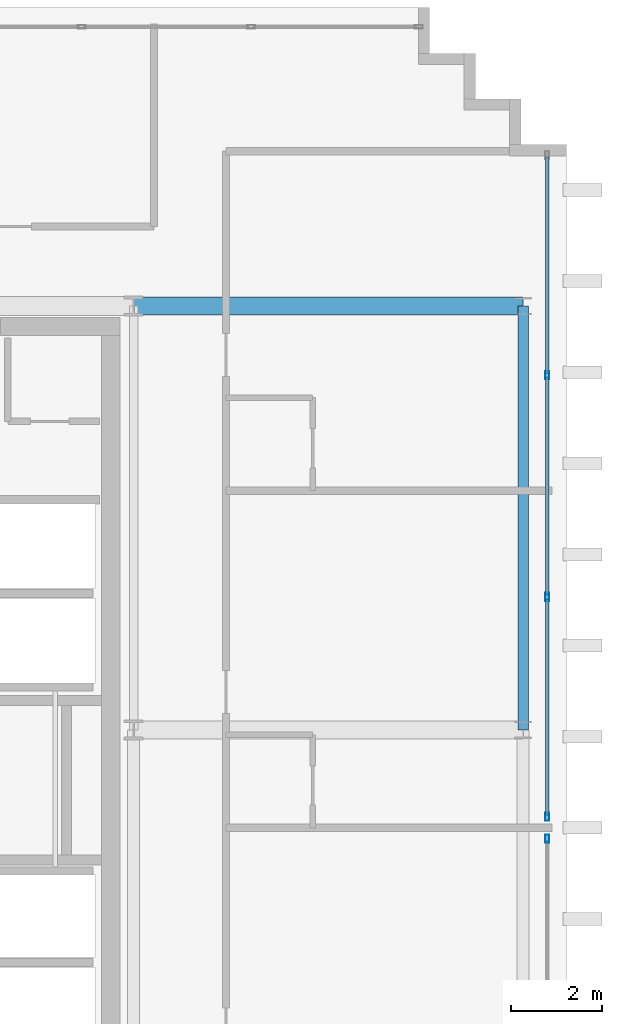
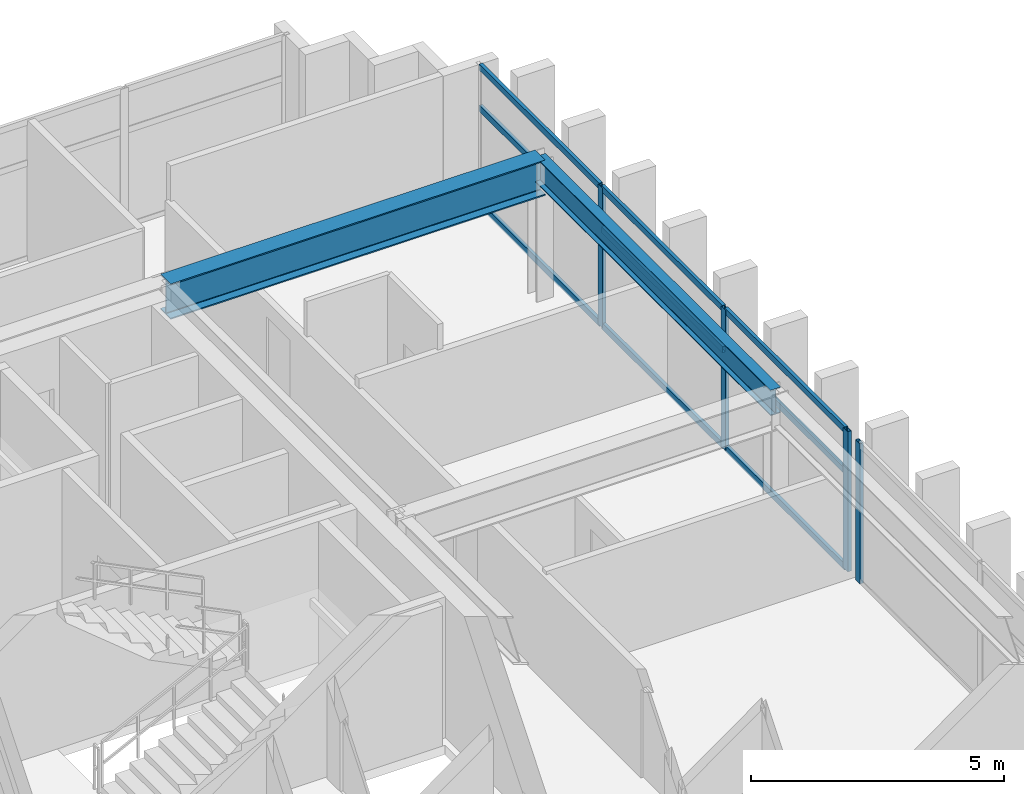
# One storey, part 8 of 15: 13 members, 2 beams, 2 elements without a shape of their own.
"""IFC4 building model written with IfcOpenShell, lengths in metres."""

from ifc_helpers import new_model, si_unit, direction, frame, origin, origin_2d, place, context, subcontext, project, spatial, hollow_rectangle, i_section, extrude, source, transform, mapped, material, layer, layer_set, material_profile, profile_set, type_object, element, aggregate, save


model = new_model("IFC4")

# Units and contexts
model_context = context("Model", 3, precision=1e-05, world=origin(), true_north=direction((0.0, 1.0)))
body_context = subcontext(model_context, "Body", "Model", "MODEL_VIEW")
ifc_project = project(units=[si_unit("LENGTHUNIT", "METRE"), si_unit("AREAUNIT", "SQUARE_METRE"), si_unit("VOLUMEUNIT", "CUBIC_METRE"), si_unit("PLANEANGLEUNIT", "RADIAN"), si_unit("MASSUNIT", "GRAM", prefix="KILO")], contexts=[model_context])

# Site, building, storey
site_placement = place(None, origin())
site = spatial("IfcSite", under=ifc_project, at=site_placement, CompositionType="ELEMENT")
building_placement = place(site_placement, origin())
building = spatial("IfcBuilding", under=site, at=building_placement, Name="Ocotamira Hotel", CompositionType="ELEMENT")
storey_placement = place(building_placement, frame((0.0, 0.0, 283.199951171875)))
storey = spatial("IfcBuildingStorey", under=building, at=storey_placement, Name="L72", CompositionType="ELEMENT", Elevation=283.199951171875)

# Beams
ifc_material_1 = material(Name="Steel ASTM A992 Grade 50", Category="steel")
ifc_material_profile_1 = material_profile(ifc_material_1, i_section(OverallWidth=0.22998046875, OverallDepth=0.616943359375, WebThickness=0.01318359375, FlangeThickness=0.022216796875, FilletRadius=0.012939453125, at=origin_2d()), Name="W24X94")
ifc_profile_set_1 = profile_set([ifc_material_profile_1], Name="Steel ASTM A992 Grade 50")
beam_type_1 = type_object("IfcBeamType", Name="BM-PRIM-W24X94", PredefinedType="BEAM", material=ifc_profile_set_1)
shared_shape_1 = source(origin(), body_context, "Body", "SweptSolid", [
    extrude(i_section(OverallWidth=0.22998046875, OverallDepth=0.616943359375, WebThickness=0.01318359375, FlangeThickness=0.022216796875, FilletRadius=0.012939453125, at=origin_2d()), origin(), (0.0, 0.0, 1.0), 9.300048828125),
])
beam_1_placement = place(storey_placement, frame((32.050048828125, 28.14990234375, 3.071533203125), z_axis=(0.0, 1.0, 0.0), x_axis=(-1.0, 0.0, 0.0)))
element("IfcBeam", 1, at=beam_1_placement, inside=storey, type_object=beam_type_1, Name="L72 Beam X32.05 Y28.15-37.45", PredefinedType="BEAM", context=body_context, shape_type="MappedRepresentation", body=[
    mapped(shared_shape_1, transform((0.0, 0.0, 0.0), scale=1.0)),
])
ifc_material_profile_2 = material_profile(ifc_material_1, i_section(OverallWidth=0.39990234375, OverallDepth=0.85595703125, WebThickness=0.018310546875, FlangeThickness=0.029296875, FilletRadius=0.02001953125, at=origin_2d()), Name="W33X201")
ifc_profile_set_2 = profile_set([ifc_material_profile_2], Name="Steel ASTM A992 Grade 50")
beam_type_2 = type_object("IfcBeamType", Name="BM-GIRD-W33X201", PredefinedType="BEAM", material=ifc_profile_set_2)
shared_shape_2 = source(origin(), body_context, "Body", "SweptSolid", [
    extrude(i_section(OverallWidth=0.39990234375, OverallDepth=0.85595703125, WebThickness=0.018310546875, FlangeThickness=0.029296875, FilletRadius=0.02001953125, at=origin_2d()), origin(), (0.0, 0.0, 1.0), 8.550048828125),
])
beam_2_placement = place(storey_placement, frame((23.5, 37.449951171875, 2.9521484375), z_axis=(1.0, 0.0, 0.0), x_axis=(0.0, 1.0, 0.0)))
element("IfcBeam", 2, at=beam_2_placement, inside=storey, type_object=beam_type_2, Name="L72 Girder Y37.45 X23.5-32.05", PredefinedType="BEAM", context=body_context, shape_type="MappedRepresentation", body=[
    mapped(shared_shape_2, transform((0.0, 0.0, 0.0), scale=1.0)),
])

# Curtain wall, member
ifc_material_2 = material(Name="Anodised pale-metal aluminium and solar glass", Category="aluminium")
ifc_layer = layer(ifc_material_2, 0.2099609375)
ifc_layer_set = layer_set([ifc_layer], Name="Anodised pale-metal aluminium and solar glass")
curtain_wall_type = type_object("IfcCurtainWallType", Name="CW-SYS7-PEAK", PredefinedType="NOTDEFINED", material=ifc_layer_set)
curtain_wall_1_placement = place(storey_placement, origin())
curtain_wall_1 = element("IfcCurtainWall", 3, at=curtain_wall_1_placement, inside=storey, type_object=curtain_wall_type, Name="L72 Curtain Wall CW-7 CW-L72-E1", PredefinedType="NOTDEFINED")
ifc_material_3 = material(Name="Anodised pale-metal aluminium 6063-T6", Category="aluminium")
ifc_material_profile_3 = material_profile(ifc_material_3, hollow_rectangle(XDim=0.080078125, YDim=0.179931640625, WallThickness=0.006103515625, at=origin_2d()), Name="HSS180X80X6")
ifc_profile_set_3 = profile_set([ifc_material_profile_3], Name="Anodised pale-metal aluminium 6063-T6")
member_type_1 = type_object("IfcMemberType", Name="CWM-180X75", PredefinedType="MULLION", material=ifc_profile_set_3)
shared_shape_3 = source(origin(), body_context, "Body", "SweptSolid", [
    extrude(hollow_rectangle(XDim=0.080078125, YDim=0.179931640625, WallThickness=0.006103515625, at=origin_2d()), origin(), (0.0, 0.0, 1.0), 3.380126953125),
])
member_1_placement = place(storey_placement, frame((32.580078125, 25.760009765625, 0.0), z_axis=(0.0, 0.0, 1.0), x_axis=(-1.0, 0.0, 0.0)))
member_1 = element("IfcMember", 4, at=member_1_placement, type_object=member_type_1, Name="CW-7 mullion 4", PredefinedType="MULLION", context=body_context, shape_type="MappedRepresentation", body=[
    mapped(shared_shape_3, transform((0.0, 0.0, 0.0), scale=1.0)),
])
aggregate(curtain_wall_1, [member_1])

# Curtain wall, members
curtain_wall_2_placement = place(storey_placement, origin())
curtain_wall_2 = element("IfcCurtainWall", 5, at=curtain_wall_2_placement, inside=storey, type_object=curtain_wall_type, Name="L72 Curtain Wall CW-7 CW-L72-E2", PredefinedType="NOTDEFINED")
member_2_placement = place(storey_placement, frame((32.580078125, 26.239990234375, 0.0), z_axis=(0.0, 0.0, 1.0), x_axis=(-1.0, 0.0, 0.0)))
member_2 = element("IfcMember", 6, at=member_2_placement, type_object=member_type_1, Name="CW-7 mullion 1", PredefinedType="MULLION", context=body_context, shape_type="MappedRepresentation", body=[
    mapped(shared_shape_3, transform((0.0, 0.0, 0.0), scale=1.0)),
])
member_3_placement = place(storey_placement, frame((32.580078125, 31.066650390625, 0.0), z_axis=(0.0, 0.0, 1.0), x_axis=(-1.0, 0.0, 0.0)))
member_3 = element("IfcMember", 7, at=member_3_placement, type_object=member_type_1, Name="CW-7 mullion 2", PredefinedType="MULLION", context=body_context, shape_type="MappedRepresentation", body=[
    mapped(shared_shape_3, transform((0.0, 0.0, 0.0), scale=1.0)),
])
member_4_placement = place(storey_placement, frame((32.580078125, 35.933349609375, 0.0), z_axis=(0.0, 0.0, 1.0), x_axis=(-1.0, 0.0, 0.0)))
member_4 = element("IfcMember", 8, at=member_4_placement, type_object=member_type_1, Name="CW-7 mullion 3", PredefinedType="MULLION", context=body_context, shape_type="MappedRepresentation", body=[
    mapped(shared_shape_3, transform((0.0, 0.0, 0.0), scale=1.0)),
])
ifc_material_profile_4 = material_profile(ifc_material_3, hollow_rectangle(XDim=0.074951171875, YDim=0.14990234375, WallThickness=0.006103515625, at=origin_2d()), Name="HSS150X75X6")
ifc_profile_set_4 = profile_set([ifc_material_profile_4], Name="Anodised pale-metal aluminium 6063-T6")
member_type_2 = type_object("IfcMemberType", Name="CWT-150X75", PredefinedType="USERDEFINED", material=ifc_profile_set_4)
shared_shape_4 = source(origin(), body_context, "Body", "SweptSolid", [
    extrude(hollow_rectangle(XDim=0.074951171875, YDim=0.14990234375, WallThickness=0.006103515625, at=origin_2d()), origin(), (0.0, 0.0, 1.0), 4.74658203125),
])
member_5_placement = place(storey_placement, frame((32.580078125, 26.280029296875, 0.03759765625), z_axis=(0.0, 1.0, 0.0), x_axis=(-1.0, 0.0, 0.0)))
member_5 = element("IfcMember", 9, at=member_5_placement, type_object=member_type_2, Name="CW-7 transom 1.1", ObjectType="TRANSOM", PredefinedType="USERDEFINED", context=body_context, shape_type="MappedRepresentation", body=[
    mapped(shared_shape_4, transform((0.0, 0.0, 0.0), scale=1.0)),
])
member_6_placement = place(storey_placement, frame((32.580078125, 26.280029296875, 2.35009765625), z_axis=(0.0, 1.0, 0.0), x_axis=(-1.0, 0.0, 0.0)))
member_6 = element("IfcMember", 10, at=member_6_placement, type_object=member_type_2, Name="CW-7 transom 1.2", ObjectType="TRANSOM", PredefinedType="USERDEFINED", context=body_context, shape_type="MappedRepresentation", body=[
    mapped(shared_shape_4, transform((0.0, 0.0, 0.0), scale=1.0)),
])
member_7_placement = place(storey_placement, frame((32.580078125, 26.280029296875, 3.342529296875), z_axis=(0.0, 1.0, 0.0), x_axis=(-1.0, 0.0, 0.0)))
member_7 = element("IfcMember", 11, at=member_7_placement, type_object=member_type_2, Name="CW-7 transom 1.3", ObjectType="TRANSOM", PredefinedType="USERDEFINED", context=body_context, shape_type="MappedRepresentation", body=[
    mapped(shared_shape_4, transform((0.0, 0.0, 0.0), scale=1.0)),
])
member_8_placement = place(storey_placement, frame((32.580078125, 35.973388671875, 0.03759765625), z_axis=(0.0, 1.0, 0.0), x_axis=(-1.0, 0.0, 0.0)))
member_8 = element("IfcMember", 12, at=member_8_placement, type_object=member_type_2, Name="CW-7 transom 3.1", ObjectType="TRANSOM", PredefinedType="USERDEFINED", context=body_context, shape_type="MappedRepresentation", body=[
    mapped(shared_shape_4, transform((0.0, 0.0, 0.0), scale=1.0)),
])
member_9_placement = place(storey_placement, frame((32.580078125, 35.973388671875, 2.35009765625), z_axis=(0.0, 1.0, 0.0), x_axis=(-1.0, 0.0, 0.0)))
member_9 = element("IfcMember", 13, at=member_9_placement, type_object=member_type_2, Name="CW-7 transom 3.2", ObjectType="TRANSOM", PredefinedType="USERDEFINED", context=body_context, shape_type="MappedRepresentation", body=[
    mapped(shared_shape_4, transform((0.0, 0.0, 0.0), scale=1.0)),
])
member_10_placement = place(storey_placement, frame((32.580078125, 35.973388671875, 3.342529296875), z_axis=(0.0, 1.0, 0.0), x_axis=(-1.0, 0.0, 0.0)))
member_10 = element("IfcMember", 14, at=member_10_placement, type_object=member_type_2, Name="CW-7 transom 3.3", ObjectType="TRANSOM", PredefinedType="USERDEFINED", context=body_context, shape_type="MappedRepresentation", body=[
    mapped(shared_shape_4, transform((0.0, 0.0, 0.0), scale=1.0)),
])
shared_shape_5 = source(origin(), body_context, "Body", "SweptSolid", [
    extrude(hollow_rectangle(XDim=0.074951171875, YDim=0.14990234375, WallThickness=0.006103515625, at=origin_2d()), origin(), (0.0, 0.0, 1.0), 4.78662109375),
])
member_11_placement = place(storey_placement, frame((32.580078125, 31.106689453125, 0.03759765625), z_axis=(0.0, 1.0, 0.0), x_axis=(-1.0, 0.0, 0.0)))
member_11 = element("IfcMember", 15, at=member_11_placement, type_object=member_type_2, Name="CW-7 transom 2.1", ObjectType="TRANSOM", PredefinedType="USERDEFINED", context=body_context, shape_type="MappedRepresentation", body=[
    mapped(shared_shape_5, transform((0.0, 0.0, 0.0), scale=1.0)),
])
member_12_placement = place(storey_placement, frame((32.580078125, 31.106689453125, 2.35009765625), z_axis=(0.0, 1.0, 0.0), x_axis=(-1.0, 0.0, 0.0)))
member_12 = element("IfcMember", 16, at=member_12_placement, type_object=member_type_2, Name="CW-7 transom 2.2", ObjectType="TRANSOM", PredefinedType="USERDEFINED", context=body_context, shape_type="MappedRepresentation", body=[
    mapped(shared_shape_5, transform((0.0, 0.0, 0.0), scale=1.0)),
])
member_13_placement = place(storey_placement, frame((32.580078125, 31.106689453125, 3.342529296875), z_axis=(0.0, 1.0, 0.0), x_axis=(-1.0, 0.0, 0.0)))
member_13 = element("IfcMember", 17, at=member_13_placement, type_object=member_type_2, Name="CW-7 transom 2.3", ObjectType="TRANSOM", PredefinedType="USERDEFINED", context=body_context, shape_type="MappedRepresentation", body=[
    mapped(shared_shape_5, transform((0.0, 0.0, 0.0), scale=1.0)),
])
aggregate(curtain_wall_2, [member_2, member_3, member_4, member_5, member_6, member_7, member_11, member_12, member_13, member_8, member_9, member_10])

save(model, "model.ifc")
